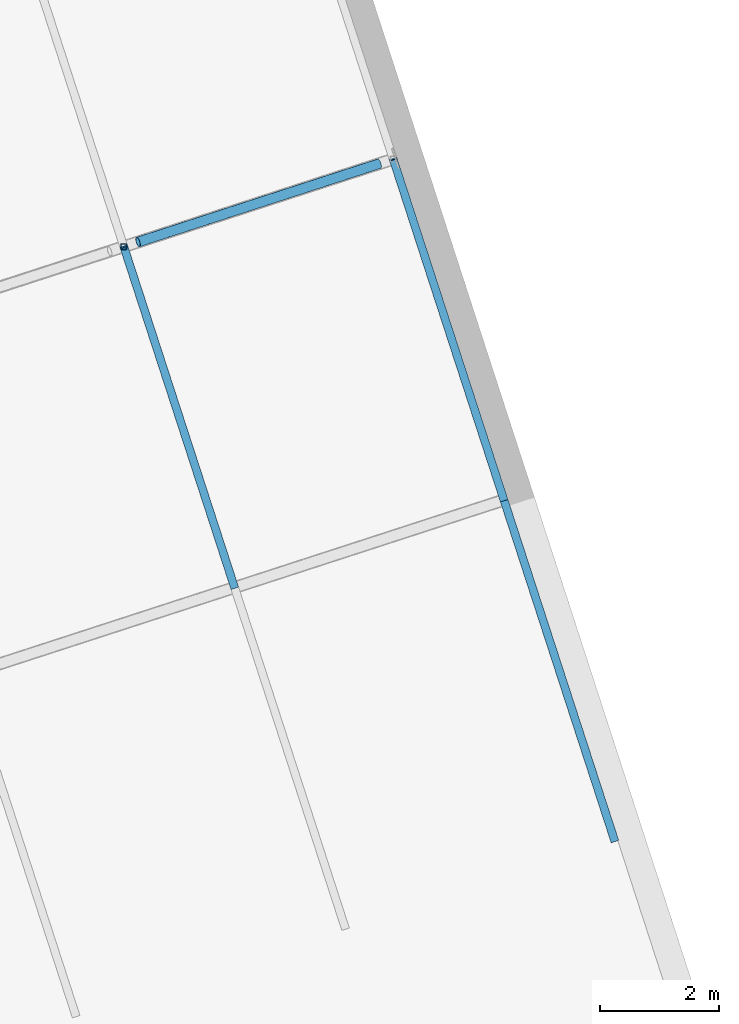
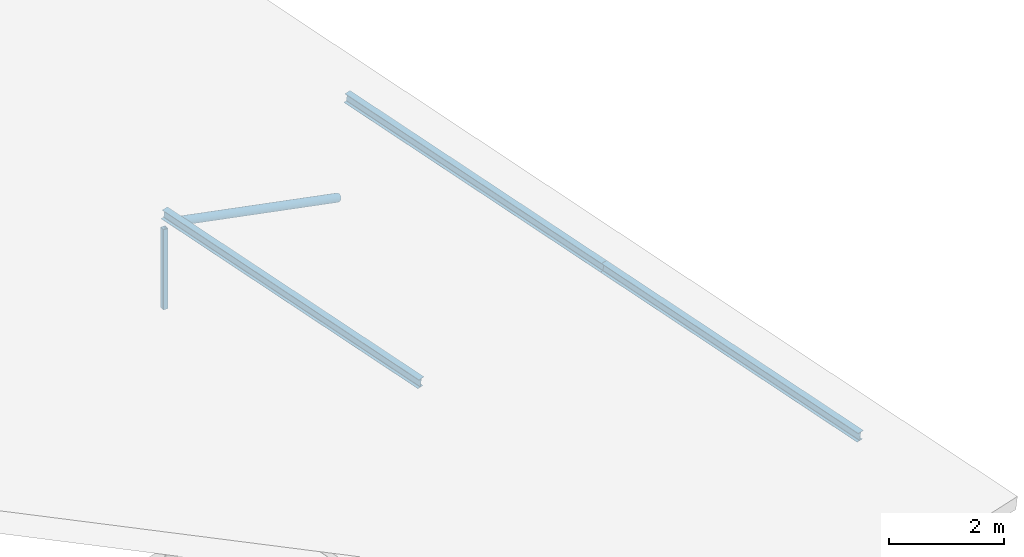
# One storey, part 15 of 55: 5 members.
"""IFC4 building model written with IfcOpenShell, lengths in metres."""

from ifc_helpers import new_model, si_unit, direction, frame, origin, origin_2d, place, context, subcontext, project, spatial, hollow_rectangle, hollow_circle, i_section, extrude, material, material_profile, profile_set, type_object, element, save


model = new_model("IFC4")

# Units and contexts
model_context = context("Model", 3, precision=1e-05, world=origin(), true_north=direction((0.0, 1.0)))
body_context = subcontext(model_context, "Body", "Model", "MODEL_VIEW")
ifc_project = project(units=[si_unit("LENGTHUNIT", "METRE"), si_unit("AREAUNIT", "SQUARE_METRE"), si_unit("VOLUMEUNIT", "CUBIC_METRE"), si_unit("PLANEANGLEUNIT", "RADIAN"), si_unit("MASSUNIT", "GRAM", prefix="KILO")], contexts=[model_context])

# Site, building, storey
site_placement = place(None, origin())
site = spatial("IfcSite", under=ifc_project, at=site_placement, CompositionType="ELEMENT")
building_placement = place(site_placement, origin())
building = spatial("IfcBuilding", under=site, at=building_placement, Name="Tuart Plaza Theatre", CompositionType="ELEMENT")
storey_placement = place(building_placement, frame((0.0, 0.0, 21.5)))
storey = spatial("IfcBuildingStorey", under=building, at=storey_placement, Name="L05", CompositionType="ELEMENT", Elevation=21.5)

# Members
ifc_material_1 = material(Name="Steel Grade C350L0", Category="steel")
ifc_material_profile_1 = material_profile(ifc_material_1, hollow_circle(Radius=0.084228515625, WallThickness=0.00634765625, at=origin_2d()), Name="168.3x6.4 CHS")
ifc_profile_set_1 = profile_set([ifc_material_profile_1], Name="Steel Grade C350L0")
member_type_1 = type_object("IfcMemberType", Name="MEMBER Brace 168.3x6.4 CHS", PredefinedType="BRACE", material=ifc_profile_set_1)
member_1_placement = place(storey_placement, frame((68.41162109375, 63.754150390625, 1.591552734375), z_axis=(0.882822840615, 0.286849316519, -0.371942605385), x_axis=(-0.309019710385, 0.951055633806, 0.0)))
element("IfcMember", 1, at=member_1_placement, inside=storey, type_object=member_type_1, Name="BR18", PredefinedType="BRACE", context=body_context, shape_type="SweptSolid", body=[
    extrude(hollow_circle(Radius=0.084228515625, WallThickness=0.00634765625, at=origin_2d()), origin(), (0.0, 0.0, 1.0), 4.570556640625),
])
ifc_material_2 = material(Name="Steel Grade C350L0", Category="steel")
ifc_material_profile_2 = material_profile(ifc_material_2, hollow_rectangle(XDim=0.10009765625, YDim=0.10009765625, WallThickness=0.006103515625, InnerFilletRadius=0.006103515625, OuterFilletRadius=0.011962890625, at=origin_2d()), Name="100x100x6 SHS")
ifc_profile_set_2 = profile_set([ifc_material_profile_2], Name="Steel Grade C350L0")
member_type_2 = type_object("IfcMemberType", Name="MEMBER Post 100x100x6 SHS", PredefinedType="POST", material=ifc_profile_set_2)
member_2_placement = place(storey_placement, frame((68.17431640625, 63.677001953125, -0.1083984375), z_axis=(0.0, 0.0, 1.0), x_axis=(1.0, 0.0, 0.0)))
element("IfcMember", 2, at=member_2_placement, inside=storey, type_object=member_type_2, Name="PO20", PredefinedType="POST", context=body_context, shape_type="SweptSolid", body=[
    extrude(hollow_rectangle(XDim=0.10009765625, YDim=0.10009765625, WallThickness=0.006103515625, InnerFilletRadius=0.006103515625, OuterFilletRadius=0.011962890625, at=origin_2d()), origin(), (0.0, 0.0, 1.0), 1.699951171875),
])
ifc_material_3 = material(Name="Steel Grade 300", Category="steel")
ifc_material_profile_3 = material_profile(ifc_material_3, i_section(OverallWidth=0.133056640625, OverallDepth=0.202880859375, WebThickness=0.005859375, FlangeThickness=0.0078125, FilletRadius=0.0087890625, at=origin_2d()), Name="200UB25.4")
ifc_profile_set_3 = profile_set([ifc_material_profile_3], Name="Steel Grade 300")
member_type_3 = type_object("IfcMemberType", Name="MEMBER Purlin 200UB25.4", PredefinedType="PURLIN", material=ifc_profile_set_3)
for number, where, z_axis, x_axis, name in (
    (3, (70.0283203125, 57.970703125, 1.114990234375), (-0.306345190325, 0.942876762375, 0.130904680354), (-0.95106067854, -0.309004184009, 0.0), "PU33"),
    (4, (76.39208984375, 53.729736328125, 0.322998046875), (-0.306383361879, 0.942870087847, 0.130863413553), (-0.951048719763, -0.309040988602, 0.0), "PU38"),
    (5, (74.537841796875, 59.43603515625, 1.114990234375), (-0.306345190325, 0.942876762375, 0.130904680354), (-0.95106067854, -0.309004184009, 0.0), "PU39"),
):
    element("IfcMember", number, at=place(storey_placement, frame(where, z_axis=z_axis, x_axis=x_axis)), inside=storey, type_object=member_type_3, Name=name, PredefinedType="PURLIN", context=body_context, shape_type="SweptSolid", body=[
        extrude(i_section(OverallWidth=0.133056640625, OverallDepth=0.202880859375, WebThickness=0.005859375, FlangeThickness=0.0078125, FilletRadius=0.0087890625, at=origin_2d()), origin(), (0.0, 0.0, 1.0), 6.052001953125),
    ])

save(model, "model.ifc")
